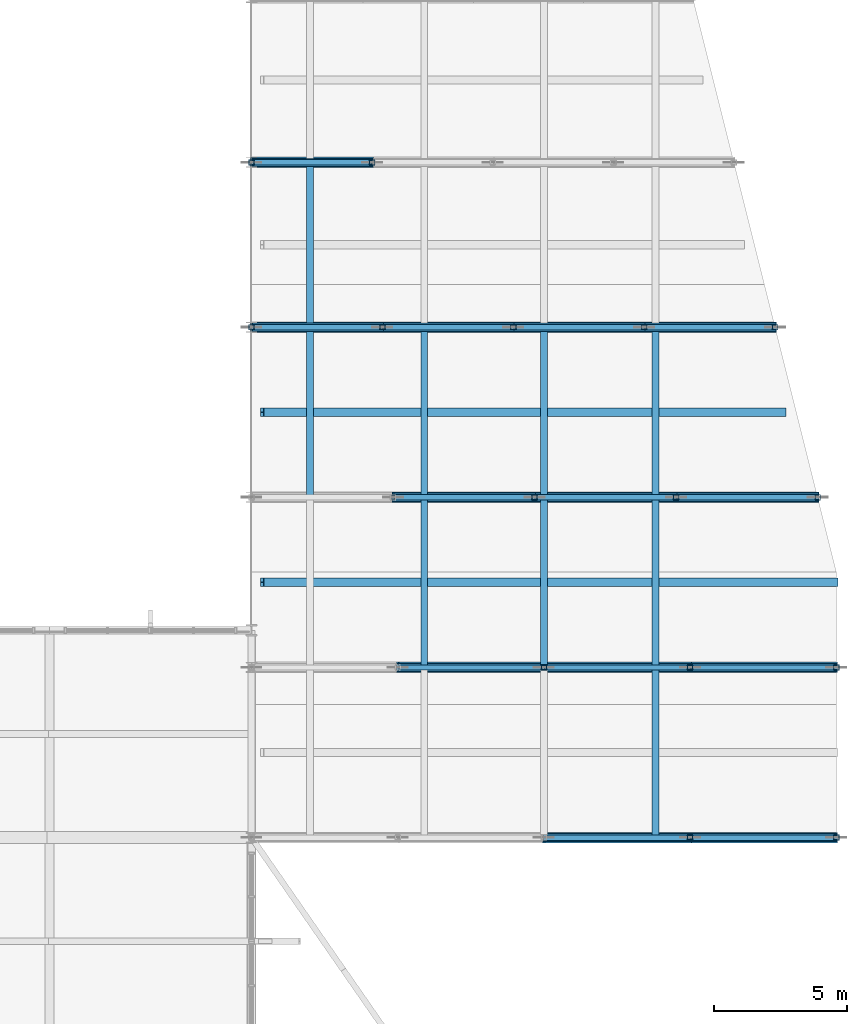
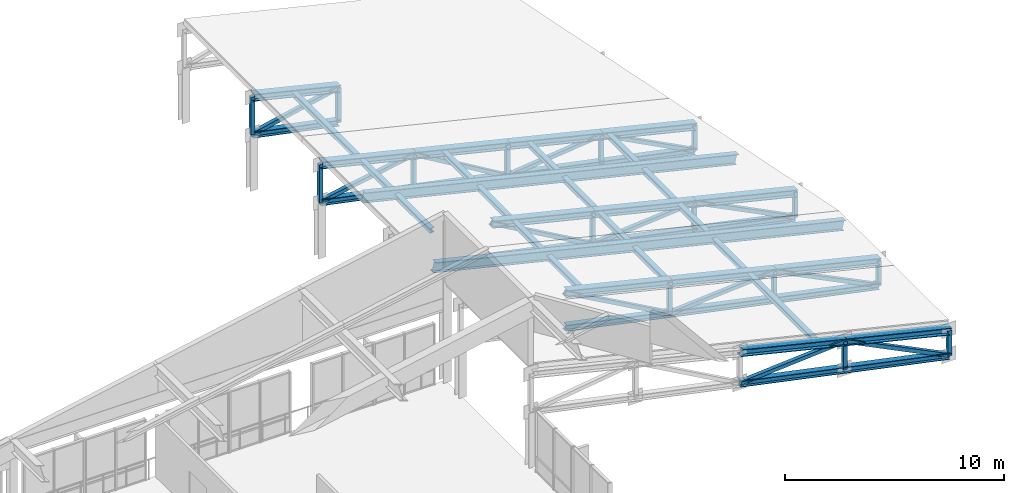
# One storey, part 33 of 73: 65 members.
"""IFC4 building model written with IfcOpenShell, lengths in metres."""

import ifcopenshell
import ifcopenshell.guid

model = None  # the IFC model being written
_history = None  # IfcOwnerHistory: only IFC2X3 demands one
_inside = {}  # id of a spatial element -> (the spatial element, [elements in it])
_under = {}  # id of a project, library or spatial element -> (it, [spatial elements below it])
_declared = {}  # id of a project -> (the project, [libraries it declares])
_typed = {}  # id of a type object -> (the type object, [elements of that type])
_made_of = {}  # id of a material, layer set ... -> (it, [elements and type objects made of it])


def new_model(schema):
    """Start an empty IFC model of exactly this schema.

    Asked for "IFC4X3", IfcOpenShell would pick the latest addendum, in which some entities
    have other attributes; the version numbers below select the first issue.
    IFC2X3 requires an IfcOwnerHistory on every rooted entity: one is made here for all.
    """
    global model, _history
    if schema == "IFC4X3":
        model = ifcopenshell.file(schema_version=(4, 3, 0, 0))
    else:
        model = ifcopenshell.file(schema=schema)
    _inside.clear()
    _under.clear()
    _declared.clear()
    _typed.clear()
    _made_of.clear()
    _history = None
    if model.schema == "IFC2X3":
        org = make("IfcOrganization", Name="unknown")
        user = make(
            "IfcPersonAndOrganization",
            ThePerson=make("IfcPerson", FamilyName="unknown"),
            TheOrganization=org,
        )
        app = make(
            "IfcApplication",
            ApplicationDeveloper=org,
            Version="unknown",
            ApplicationFullName="unknown",
            ApplicationIdentifier="unknown",
        )
        _history = make(
            "IfcOwnerHistory",
            OwningUser=user,
            OwningApplication=app,
            ChangeAction="ADDED",
            CreationDate=0,
        )
    return model


def make(cls, **values):
    """One entity of the class cls with the attributes given. An attribute that is None is left unset."""
    return model.create_entity(
        cls, **{name: value for name, value in values.items() if value is not None}
    )


def rooted(cls, **values):
    """An entity with a GlobalId (a new one), such as an element, a storey or a relation."""
    return make(cls, GlobalId=ifcopenshell.guid.new(), OwnerHistory=_history, **values)


def si_unit(unit_type, name, prefix=None):
    """IfcSIUnit, for example si_unit("LENGTHUNIT", "METRE", prefix="MILLI")."""
    return make("IfcSIUnit", UnitType=unit_type, Prefix=prefix, Name=name)


def assignment(units):
    """IfcUnitAssignment: the units of a project."""
    return None if units is None else make("IfcUnitAssignment", Units=units)


def point(xyz):
    """IfcCartesianPoint."""
    return None if xyz is None else make("IfcCartesianPoint", Coordinates=xyz)


def direction(xyz):
    """IfcDirection."""
    return None if xyz is None else make("IfcDirection", DirectionRatios=xyz)


def frame(location, z_axis=None, x_axis=None):
    """IfcAxis2Placement3D, a coordinate frame: its origin and axes. An axis left out is left unset."""
    return make(
        "IfcAxis2Placement3D",
        Location=point(location),
        Axis=direction(z_axis),
        RefDirection=direction(x_axis),
    )


def frame_2d(location, x_axis=None):
    """IfcAxis2Placement2D, a coordinate frame in the plane: its origin and x axis."""
    return make(
        "IfcAxis2Placement2D", Location=point(location), RefDirection=direction(x_axis)
    )


def origin():
    """The frame at (0, 0, 0) with its axes left unset."""
    return frame((0.0, 0.0, 0.0))


def origin_2d():
    """The frame at (0, 0) in the plane with its x axis left unset."""
    return frame_2d((0.0, 0.0))


def place(relative_to, where):
    """IfcLocalPlacement: puts the frame where relative to a parent placement (None: the world)."""
    return make(
        "IfcLocalPlacement", PlacementRelTo=relative_to, RelativePlacement=where
    )


def context(
    kind, dimensions, precision=None, world=None, true_north=None, identifier=None
):
    """IfcGeometricRepresentationContext, for example the 3D "Model" context."""
    return make(
        "IfcGeometricRepresentationContext",
        ContextIdentifier=identifier,
        ContextType=kind,
        CoordinateSpaceDimension=dimensions,
        Precision=precision,
        WorldCoordinateSystem=world,
        TrueNorth=true_north,
    )


def subcontext(parent, identifier, kind, view, scale=None):
    """IfcGeometricRepresentationSubContext, for example "Body" below "Model"."""
    return make(
        "IfcGeometricRepresentationSubContext",
        ContextIdentifier=identifier,
        ContextType=kind,
        ParentContext=parent,
        TargetScale=scale,
        TargetView=view,
    )


def project(units=None, contexts=None):
    """IfcProject with its units and contexts."""
    return rooted(
        "IfcProject",
        Name="project",
        RepresentationContexts=contexts,
        UnitsInContext=assignment(units),
    )


def spatial(cls, under=None, at=None, **own):
    """A site, building, storey or space (cls), placed at a placement, below another one or the project."""
    s = rooted(cls, ObjectPlacement=at, **own)
    if under is not None:
        _under.setdefault(under.id(), (under, []))[1].append(s)
    return s


def profile(cls, at=None, kind="AREA", **sizes):
    """A parametric profile (cls). Its sizes go by their IFC names, for example OverallWidth=200.0."""
    return make(cls, ProfileType=kind, Position=at, **sizes)


def hollow_rectangle(**sizes):
    """IfcRectangleHollowProfileDef."""
    return profile("IfcRectangleHollowProfileDef", **sizes)


def i_section(**sizes):
    """IfcIShapeProfileDef."""
    return profile("IfcIShapeProfileDef", **sizes)


def extrude(swept, where, along, depth):
    """IfcExtrudedAreaSolid: the profile swept, set in the frame where, extruded along a direction by depth."""
    return make(
        "IfcExtrudedAreaSolid",
        SweptArea=swept,
        Position=where,
        ExtrudedDirection=direction(along),
        Depth=depth,
    )


def shape(context_of_items, identifier, shape_type, items):
    """IfcShapeRepresentation: the items that make up one representation, for example the "Body"."""
    return make(
        "IfcShapeRepresentation",
        ContextOfItems=context_of_items,
        RepresentationIdentifier=identifier,
        RepresentationType=shape_type,
        Items=items,
    )


def material(Name=None, Category=None):
    """IfcMaterial."""
    return make("IfcMaterial", Name=Name, Category=Category)


def material_profile(
    of_material, cross_section, Name=None, Category=None, Priority=None
):
    """IfcMaterialProfile: a cross section and its material."""
    return make(
        "IfcMaterialProfile",
        Name=Name,
        Material=of_material,
        Profile=cross_section,
        Priority=Priority,
        Category=Category,
    )


def profile_set(profiles, Name=None, composite=None):
    """IfcMaterialProfileSet."""
    return make(
        "IfcMaterialProfileSet",
        Name=Name,
        MaterialProfiles=profiles,
        CompositeProfile=composite,
    )


def made_of(thing, what):
    """Note that an element or type object is made of a material, layer set ...; save() writes the relation."""
    if what is not None:
        _made_of.setdefault(what.id(), (what, []))[1].append(thing)
    return thing


def type_object(cls, material=None, **own):
    """A type object (cls), such as IfcWallType, which elements share."""
    return made_of(rooted(cls, **own), material)


def element(
    cls,
    number,
    at=None,
    inside=None,
    cuts=None,
    type_object=None,
    material=None,
    context=None,
    identifier="Body",
    shape_type=None,
    held_by="IfcProductDefinitionShape",
    body=None,
    shapes=None,
    **own,
):
    """One element of the class cls, such as IfcWall. Its Tag is "e" and its number.

    at: its placement. inside: the storey or other place that contains it. cuts: it is an
    opening in that element (IfcRelVoidsElement). A single representation is given by context,
    identifier, shape_type and body (its items); several are given by shapes. held_by: the class
    of the entity that holds the representations. save() writes the other relations.
    """
    e = rooted(cls, Tag="e%d" % number, ObjectPlacement=at, **own)
    if body is not None:
        shapes = [shape(context, identifier, shape_type, body)]
    if shapes is not None:
        e.Representation = make(held_by, Representations=shapes)
    if inside is not None:
        _inside.setdefault(inside.id(), (inside, []))[1].append(e)
    if cuts is not None:
        rooted(
            "IfcRelVoidsElement", RelatingBuildingElement=cuts, RelatedOpeningElement=e
        )
    if type_object is not None:
        _typed.setdefault(type_object.id(), (type_object, []))[1].append(e)
    return made_of(e, material)


def aggregate(whole, parts):
    """IfcRelAggregates: a whole, such as a stair, and the parts it consists of."""
    return rooted("IfcRelAggregates", RelatingObject=whole, RelatedObjects=parts)


def save(model, path):
    """Write the relations noted so far, then the file.

    IfcRelAggregates (storeys below a building ...), IfcRelContainedInSpatialStructure (elements
    in a storey), IfcRelDefinesByType, IfcRelAssociatesMaterial and IfcRelDeclares: one each for
    every whole, place, type object, material and project.
    """
    for whole, parts in _under.values():
        aggregate(whole, parts)
    for where, things in _inside.values():
        rooted(
            "IfcRelContainedInSpatialStructure",
            RelatedElements=things,
            RelatingStructure=where,
        )
    for kind, things in _typed.values():
        rooted("IfcRelDefinesByType", RelatedObjects=things, RelatingType=kind)
    for what, things in _made_of.values():
        rooted("IfcRelAssociatesMaterial", RelatedObjects=things, RelatingMaterial=what)
    for by, libraries in _declared.values():
        rooted("IfcRelDeclares", RelatingContext=by, RelatedDefinitions=libraries)
    model.write(path)


model = new_model("IFC4")

# Units and contexts
model_context = context("Model", 3, precision=1e-05, world=origin(), true_north=direction((0.0, 1.0)))
body_context = subcontext(model_context, "Body", "Model", "MODEL_VIEW")
ifc_project = project(units=[si_unit("LENGTHUNIT", "METRE"), si_unit("AREAUNIT", "SQUARE_METRE"), si_unit("VOLUMEUNIT", "CUBIC_METRE"), si_unit("PLANEANGLEUNIT", "RADIAN"), si_unit("MASSUNIT", "GRAM", prefix="KILO")], contexts=[model_context])

# Site, building, storey
site_placement = place(None, origin())
site = spatial("IfcSite", under=ifc_project, at=site_placement, CompositionType="ELEMENT")
building_placement = place(site_placement, origin())
building = spatial("IfcBuilding", under=site, at=building_placement, Name="Vervanel Yard Central Library", CompositionType="ELEMENT")
storey_placement = place(building_placement, frame((0.0, 0.0, 12.780029296875)))
storey = spatial("IfcBuildingStorey", under=building, at=storey_placement, Name="L03", CompositionType="ELEMENT", Elevation=12.780029296875)

# Members
ifc_material_1 = material(Name="Steel ASTM A992 Grade 50", Category="steel")
ifc_material_profile_1 = material_profile(ifc_material_1, i_section(OverallWidth=0.256591796875, OverallDepth=0.26416015625, WebThickness=0.011962890625, FlangeThickness=0.01953125, at=origin_2d()), Name="W10X68", Category="steel")
ifc_profile_set_1 = profile_set([ifc_material_profile_1], Name="Steel ASTM A992 Grade 50")
member_type_1 = type_object("IfcMemberType", Name="Auditorium Roof Purlin W10X68", PredefinedType="PURLIN", material=ifc_profile_set_1)
member_1_placement = place(storey_placement, frame((161.199951171875, 74.39990234375, 1.398193359375), z_axis=(0.0, 1.0, 0.0), x_axis=(-1.0, 0.0, 0.0)))
element("IfcMember", 1, at=member_1_placement, inside=storey, type_object=member_type_1, Name="Auditorium Roof Purlin X=161.2 Y=74.4-80.8", PredefinedType="PURLIN", context=body_context, shape_type="SweptSolid", body=[
    extrude(i_section(OverallWidth=0.256591796875, OverallDepth=0.26416015625, WebThickness=0.011962890625, FlangeThickness=0.01953125, at=origin_2d()), origin(), (0.0, 0.0, 1.0), 6.400146484375),
])
for number, where, z_axis, x_axis, name in (
    (2, (152.5, 80.800048828125, 3.494140625), (0.0, 1.0, 0.0), (-1.0, 0.0, 0.0), "Auditorium Roof Purlin X=152.5 Y=80.8-87.2"),
    (3, (157.0, 80.800048828125, 2.409912109375), (0.0, 1.0, 0.0), (-1.0, 0.0, 0.0), "Auditorium Roof Purlin X=157.0 Y=80.8-87.2"),
    (4, (161.199951171875, 80.800048828125, 1.398193359375), (0.0, 1.0, 0.0), (-1.0, 0.0, 0.0), "Auditorium Roof Purlin X=161.2 Y=80.8-87.2"),
):
    element("IfcMember", number, at=place(storey_placement, frame(where, z_axis=z_axis, x_axis=x_axis)), inside=storey, type_object=member_type_1, Name=name, PredefinedType="PURLIN", context=body_context, shape_type="SweptSolid", body=[
        extrude(i_section(OverallWidth=0.256591796875, OverallDepth=0.26416015625, WebThickness=0.011962890625, FlangeThickness=0.01953125, at=origin_2d()), origin(), (0.0, 0.0, 1.0), 6.39990234375),
    ])
for number, where, z_axis, x_axis, name in (
    (5, (148.199951171875, 87.199951171875, 4.530029296875), (0.0, 1.0, 0.0), (-1.0, 0.0, 0.0), "Auditorium Roof Purlin X=148.2 Y=87.2-93.6"),
    (6, (152.5, 87.199951171875, 3.494140625), (0.0, 1.0, 0.0), (-1.0, 0.0, 0.0), "Auditorium Roof Purlin X=152.5 Y=87.2-93.6"),
    (7, (157.0, 87.199951171875, 2.409912109375), (0.0, 1.0, 0.0), (-1.0, 0.0, 0.0), "Auditorium Roof Purlin X=157.0 Y=87.2-93.6"),
    (8, (161.199951171875, 87.199951171875, 1.398193359375), (0.0, 1.0, 0.0), (-1.0, 0.0, 0.0), "Auditorium Roof Purlin X=161.2 Y=87.2-93.6"),
):
    element("IfcMember", number, at=place(storey_placement, frame(where, z_axis=z_axis, x_axis=x_axis)), inside=storey, type_object=member_type_1, Name=name, PredefinedType="PURLIN", context=body_context, shape_type="SweptSolid", body=[
        extrude(i_section(OverallWidth=0.256591796875, OverallDepth=0.26416015625, WebThickness=0.011962890625, FlangeThickness=0.01953125, at=origin_2d()), origin(), (0.0, 0.0, 1.0), 6.400146484375),
    ])
member_2_placement = place(storey_placement, frame((148.199951171875, 93.60009765625, 4.530029296875), z_axis=(0.0, 1.0, 0.0), x_axis=(-1.0, 0.0, 0.0)))
element("IfcMember", 9, at=member_2_placement, inside=storey, type_object=member_type_1, Name="Auditorium Roof Purlin X=148.2 Y=93.6-99.8", PredefinedType="PURLIN", context=body_context, shape_type="SweptSolid", body=[
    extrude(i_section(OverallWidth=0.256591796875, OverallDepth=0.26416015625, WebThickness=0.011962890625, FlangeThickness=0.01953125, at=origin_2d()), origin(), (0.0, 0.0, 1.0), 6.199951171875),
])
ifc_material_profile_2 = material_profile(ifc_material_1, i_section(OverallWidth=0.309814453125, OverallDepth=0.32763671875, WebThickness=0.015380859375, FlangeThickness=0.025146484375, at=origin_2d()), Name="W12X106", Category="steel")
ifc_profile_set_2 = profile_set([ifc_material_profile_2], Name="Steel ASTM A992 Grade 50")
member_type_2 = type_object("IfcMemberType", Name="Auditorium Roof Truss Bottom Chord W12X106", PredefinedType="CHORD", material=ifc_profile_set_2)
for number, where, z_axis, x_axis, name in (
    (10, (157.0, 74.39990234375, 0.739990234375), (0.978835582264, 0.0, -0.204648241853), (0.0, 1.0, 0.0), "Auditorium Truss 1 Bottom Chord 3"),
    (11, (162.5, 74.39990234375, -0.409912109375), (0.978826877737, 0.0, -0.204689871317), (0.0, 1.0, 0.0), "Auditorium Truss 1 Bottom Chord 4"),
    (12, (151.5, 80.800048828125, 1.889892578125), (0.978835582264, 0.0, -0.204648241853), (0.0, 1.0, 0.0), "Auditorium Truss 2 Bottom Chord 2"),
    (13, (157.0, 80.800048828125, 0.739990234375), (0.978835582264, 0.0, -0.204648241853), (0.0, 1.0, 0.0), "Auditorium Truss 2 Bottom Chord 3"),
    (14, (162.5, 80.800048828125, -0.409912109375), (0.978826877737, 0.0, -0.204689871317), (0.0, 1.0, 0.0), "Auditorium Truss 2 Bottom Chord 4"),
):
    element("IfcMember", number, at=place(storey_placement, frame(where, z_axis=z_axis, x_axis=x_axis)), inside=storey, type_object=member_type_2, Name=name, PredefinedType="CHORD", context=body_context, shape_type="SweptSolid", body=[
        extrude(i_section(OverallWidth=0.309814453125, OverallDepth=0.32763671875, WebThickness=0.015380859375, FlangeThickness=0.025146484375, at=origin_2d()), origin(), (0.0, 0.0, 1.0), 5.618896484375),
    ])
member_3_placement = place(storey_placement, frame((151.324951171875, 87.199951171875, 1.93212890625), z_axis=(0.979033787707, 0.0, -0.203697919793), x_axis=(0.0, 1.0, 0.0)))
element("IfcMember", 15, at=member_3_placement, inside=storey, type_object=member_type_2, Name="Auditorium Truss 3 Bottom Chord 2", PredefinedType="CHORD", context=body_context, shape_type="SweptSolid", body=[
    extrude(i_section(OverallWidth=0.309814453125, OverallDepth=0.32763671875, WebThickness=0.015380859375, FlangeThickness=0.025146484375, at=origin_2d()), origin(), (0.0, 0.0, 1.0), 5.43896484375),
])
member_4_placement = place(storey_placement, frame((156.64990234375, 87.199951171875, 0.82421875), z_axis=(0.979044600164, 0.0, -0.203645944936), x_axis=(0.0, 1.0, 0.0)))
element("IfcMember", 16, at=member_4_placement, inside=storey, type_object=member_type_2, Name="Auditorium Truss 3 Bottom Chord 3", PredefinedType="CHORD", context=body_context, shape_type="SweptSolid", body=[
    extrude(i_section(OverallWidth=0.309814453125, OverallDepth=0.32763671875, WebThickness=0.015380859375, FlangeThickness=0.025146484375, at=origin_2d()), origin(), (0.0, 0.0, 1.0), 5.439208984375),
])
member_5_placement = place(storey_placement, frame((161.97509765625, 87.199951171875, -0.283447265625), z_axis=(0.979033787707, 0.0, -0.203697919793), x_axis=(0.0, 1.0, 0.0)))
element("IfcMember", 17, at=member_5_placement, inside=storey, type_object=member_type_2, Name="Auditorium Truss 3 Bottom Chord 4", PredefinedType="CHORD", context=body_context, shape_type="SweptSolid", body=[
    extrude(i_section(OverallWidth=0.309814453125, OverallDepth=0.32763671875, WebThickness=0.015380859375, FlangeThickness=0.025146484375, at=origin_2d()), origin(), (0.0, 0.0, 1.0), 5.43896484375),
])
for number, where, z_axis, x_axis, name in (
    (18, (146.0, 93.60009765625, 3.0400390625), (0.979555371824, 0.0, -0.201174733826), (0.0, 1.0, 0.0), "Auditorium Truss 4 Bottom Chord 1"),
    (19, (150.925048828125, 93.60009765625, 2.028564453125), (0.979555371824, 0.0, -0.201174733826), (0.0, 1.0, 0.0), "Auditorium Truss 4 Bottom Chord 2"),
):
    element("IfcMember", number, at=place(storey_placement, frame(where, z_axis=z_axis, x_axis=x_axis)), inside=storey, type_object=member_type_2, Name=name, PredefinedType="CHORD", context=body_context, shape_type="SweptSolid", body=[
        extrude(i_section(OverallWidth=0.309814453125, OverallDepth=0.32763671875, WebThickness=0.015380859375, FlangeThickness=0.025146484375, at=origin_2d()), origin(), (0.0, 0.0, 1.0), 5.02783203125),
    ])
member_6_placement = place(storey_placement, frame((155.85009765625, 93.60009765625, 1.01708984375), z_axis=(0.97955340649, 0.0, -0.201184303147), x_axis=(0.0, 1.0, 0.0)))
element("IfcMember", 20, at=member_6_placement, inside=storey, type_object=member_type_2, Name="Auditorium Truss 4 Bottom Chord 3", PredefinedType="CHORD", context=body_context, shape_type="SweptSolid", body=[
    extrude(i_section(OverallWidth=0.309814453125, OverallDepth=0.32763671875, WebThickness=0.015380859375, FlangeThickness=0.025146484375, at=origin_2d()), origin(), (0.0, 0.0, 1.0), 5.027587890625),
])
member_7_placement = place(storey_placement, frame((160.77490234375, 93.60009765625, 0.005615234375), z_axis=(0.979555371824, 0.0, -0.201174733826), x_axis=(0.0, 1.0, 0.0)))
element("IfcMember", 21, at=member_7_placement, inside=storey, type_object=member_type_2, Name="Auditorium Truss 4 Bottom Chord 4", PredefinedType="CHORD", context=body_context, shape_type="SweptSolid", body=[
    extrude(i_section(OverallWidth=0.309814453125, OverallDepth=0.32763671875, WebThickness=0.015380859375, FlangeThickness=0.025146484375, at=origin_2d()), origin(), (0.0, 0.0, 1.0), 5.02783203125),
])
member_8_placement = place(storey_placement, frame((146.0, 99.800048828125, 3.0400390625), z_axis=(0.980133968986, 0.0, -0.198336589764), x_axis=(0.0, 1.0, 0.0)))
element("IfcMember", 22, at=member_8_placement, inside=storey, type_object=member_type_2, Name="Auditorium Truss 5 Bottom Chord 1", PredefinedType="CHORD", context=body_context, shape_type="SweptSolid", body=[
    extrude(i_section(OverallWidth=0.309814453125, OverallDepth=0.32763671875, WebThickness=0.015380859375, FlangeThickness=0.025146484375, at=origin_2d()), origin(), (0.0, 0.0, 1.0), 4.629638671875),
])
ifc_material_profile_3 = material_profile(ifc_material_1, i_section(OverallWidth=0.396240234375, OverallDepth=0.381103515625, WebThickness=0.01904296875, FlangeThickness=0.0302734375, at=origin_2d()), Name="W14X159", Category="steel")
ifc_profile_set_3 = profile_set([ifc_material_profile_3], Name="Steel ASTM A992 Grade 50")
member_type_3 = type_object("IfcMemberType", Name="Auditorium Roof Truss Chord W14X159", PredefinedType="CHORD", material=ifc_profile_set_3)
for number, where, z_axis, x_axis, name in (
    (23, (157.0, 74.39990234375, 2.489990234375), (0.972188346998, 0.0, -0.234200379934), (0.0, 1.0, 0.0), "Auditorium Truss 1 Top Chord 3"),
    (24, (162.5, 74.39990234375, 1.1650390625), (0.972188346998, 0.0, -0.234200379934), (0.0, 1.0, 0.0), "Auditorium Truss 1 Top Chord 4"),
    (25, (151.5, 80.800048828125, 3.81494140625), (0.972188346998, 0.0, -0.234200379934), (0.0, 1.0, 0.0), "Auditorium Truss 2 Top Chord 2"),
    (26, (157.0, 80.800048828125, 2.489990234375), (0.972188346998, 0.0, -0.234200379934), (0.0, 1.0, 0.0), "Auditorium Truss 2 Top Chord 3"),
    (27, (162.5, 80.800048828125, 1.1650390625), (0.972188346998, 0.0, -0.234200379934), (0.0, 1.0, 0.0), "Auditorium Truss 2 Top Chord 4"),
):
    element("IfcMember", number, at=place(storey_placement, frame(where, z_axis=z_axis, x_axis=x_axis)), inside=storey, type_object=member_type_3, Name=name, PredefinedType="CHORD", context=body_context, shape_type="SweptSolid", body=[
        extrude(i_section(OverallWidth=0.396240234375, OverallDepth=0.381103515625, WebThickness=0.01904296875, FlangeThickness=0.0302734375, at=origin_2d()), origin(), (0.0, 0.0, 1.0), 5.6572265625),
    ])
member_9_placement = place(storey_placement, frame((151.324951171875, 87.199951171875, 3.857177734375), z_axis=(0.97218098413, 0.0, -0.2342309418), x_axis=(0.0, 1.0, 0.0)))
element("IfcMember", 28, at=member_9_placement, inside=storey, type_object=member_type_3, Name="Auditorium Truss 3 Top Chord 2", PredefinedType="CHORD", context=body_context, shape_type="SweptSolid", body=[
    extrude(i_section(OverallWidth=0.396240234375, OverallDepth=0.381103515625, WebThickness=0.01904296875, FlangeThickness=0.0302734375, at=origin_2d()), origin(), (0.0, 0.0, 1.0), 5.477294921875),
])
member_10_placement = place(storey_placement, frame((156.64990234375, 87.199951171875, 2.57421875), z_axis=(0.972193577694, 0.0, -0.234178665744), x_axis=(0.0, 1.0, 0.0)))
element("IfcMember", 29, at=member_10_placement, inside=storey, type_object=member_type_3, Name="Auditorium Truss 3 Top Chord 3", PredefinedType="CHORD", context=body_context, shape_type="SweptSolid", body=[
    extrude(i_section(OverallWidth=0.396240234375, OverallDepth=0.381103515625, WebThickness=0.01904296875, FlangeThickness=0.0302734375, at=origin_2d()), origin(), (0.0, 0.0, 1.0), 5.4775390625),
])
member_11_placement = place(storey_placement, frame((161.97509765625, 87.199951171875, 1.29150390625), z_axis=(0.97218098413, 0.0, -0.2342309418), x_axis=(0.0, 1.0, 0.0)))
element("IfcMember", 30, at=member_11_placement, inside=storey, type_object=member_type_3, Name="Auditorium Truss 3 Top Chord 4", PredefinedType="CHORD", context=body_context, shape_type="SweptSolid", body=[
    extrude(i_section(OverallWidth=0.396240234375, OverallDepth=0.381103515625, WebThickness=0.01904296875, FlangeThickness=0.0302734375, at=origin_2d()), origin(), (0.0, 0.0, 1.0), 5.477294921875),
])
for number, where, z_axis, x_axis, name in (
    (31, (146.0, 93.60009765625, 5.139892578125), (0.972184835582, 0.0, -0.23421495568), (0.0, 1.0, 0.0), "Auditorium Truss 4 Top Chord 1"),
    (32, (150.925048828125, 93.60009765625, 3.953369140625), (0.972195808054, 0.0, -0.234169406203), (0.0, 1.0, 0.0), "Auditorium Truss 4 Top Chord 2"),
):
    element("IfcMember", number, at=place(storey_placement, frame(where, z_axis=z_axis, x_axis=x_axis)), inside=storey, type_object=member_type_3, Name=name, PredefinedType="CHORD", context=body_context, shape_type="SweptSolid", body=[
        extrude(i_section(OverallWidth=0.396240234375, OverallDepth=0.381103515625, WebThickness=0.01904296875, FlangeThickness=0.0302734375, at=origin_2d()), origin(), (0.0, 0.0, 1.0), 5.06591796875),
    ])
member_12_placement = place(storey_placement, frame((155.85009765625, 93.60009765625, 2.76708984375), z_axis=(0.972182191724, 0.0, -0.234225929594), x_axis=(0.0, 1.0, 0.0)))
element("IfcMember", 33, at=member_12_placement, inside=storey, type_object=member_type_3, Name="Auditorium Truss 4 Top Chord 3", PredefinedType="CHORD", context=body_context, shape_type="SweptSolid", body=[
    extrude(i_section(OverallWidth=0.396240234375, OverallDepth=0.381103515625, WebThickness=0.01904296875, FlangeThickness=0.0302734375, at=origin_2d()), origin(), (0.0, 0.0, 1.0), 5.065673828125),
])
member_13_placement = place(storey_placement, frame((160.77490234375, 93.60009765625, 1.58056640625), z_axis=(0.972184835582, 0.0, -0.23421495568), x_axis=(0.0, 1.0, 0.0)))
element("IfcMember", 34, at=member_13_placement, inside=storey, type_object=member_type_3, Name="Auditorium Truss 4 Top Chord 4", PredefinedType="CHORD", context=body_context, shape_type="SweptSolid", body=[
    extrude(i_section(OverallWidth=0.396240234375, OverallDepth=0.381103515625, WebThickness=0.01904296875, FlangeThickness=0.0302734375, at=origin_2d()), origin(), (0.0, 0.0, 1.0), 5.06591796875),
])
member_14_placement = place(storey_placement, frame((146.0, 99.800048828125, 5.139892578125), z_axis=(0.972192769649, 0.0, -0.234182020323), x_axis=(0.0, 1.0, 0.0)))
element("IfcMember", 35, at=member_14_placement, inside=storey, type_object=member_type_3, Name="Auditorium Truss 5 Top Chord 1", PredefinedType="CHORD", context=body_context, shape_type="SweptSolid", body=[
    extrude(i_section(OverallWidth=0.396240234375, OverallDepth=0.381103515625, WebThickness=0.01904296875, FlangeThickness=0.0302734375, at=origin_2d()), origin(), (0.0, 0.0, 1.0), 4.66748046875),
])
ifc_material_profile_4 = material_profile(ifc_material_1, i_section(OverallWidth=0.3125, OverallDepth=0.54345703125, WebThickness=0.0126953125, FlangeThickness=0.020263671875, at=origin_2d()), Name="W21X101", Category="steel")
ifc_profile_set_4 = profile_set([ifc_material_profile_4], Name="Steel ASTM A992 Grade 50")
member_type_4 = type_object("IfcMemberType", Name="Auditorium Sloped Rafter W21X101", PredefinedType="RAFTER", material=ifc_profile_set_4)
member_15_placement = place(storey_placement, frame((146.39990234375, 84.0, 5.103515625), z_axis=(0.972186859469, 0.0, -0.234206554725), x_axis=(0.0, 1.0, 0.0)))
element("IfcMember", 36, at=member_15_placement, inside=storey, type_object=member_type_4, Name="Auditorium Intermediate Sloped Rafter 2", PredefinedType="RAFTER", context=body_context, shape_type="SweptSolid", body=[
    extrude(i_section(OverallWidth=0.3125, OverallDepth=0.54345703125, WebThickness=0.0126953125, FlangeThickness=0.020263671875, at=origin_2d()), origin(), (0.0, 0.0, 1.0), 22.218017578125),
])
member_16_placement = place(storey_placement, frame((146.39990234375, 90.39990234375, 5.103515625), z_axis=(0.972186519331, 0.0, -0.234207966626), x_axis=(0.0, 1.0, 0.0)))
element("IfcMember", 37, at=member_16_placement, inside=storey, type_object=member_type_4, Name="Auditorium Intermediate Sloped Rafter 3", PredefinedType="RAFTER", context=body_context, shape_type="SweptSolid", body=[
    extrude(i_section(OverallWidth=0.3125, OverallDepth=0.54345703125, WebThickness=0.0126953125, FlangeThickness=0.020263671875, at=origin_2d()), origin(), (0.0, 0.0, 1.0), 20.21240234375),
])
ifc_material_2 = material(Name="Steel ASTM A500 Grade C", Category="steel")
ifc_material_profile_5 = material_profile(ifc_material_2, hollow_rectangle(XDim=0.203125, YDim=0.203125, WallThickness=0.01171875, at=origin_2d()), Name="HSS8X8X1/2", Category="steel")
ifc_profile_set_5 = profile_set([ifc_material_profile_5], Name="Steel ASTM A500 Grade C")
member_type_5 = type_object("IfcMemberType", Name="Auditorium Truss Web Diagonal HSS8X8X1/2", PredefinedType="BRACE", material=ifc_profile_set_5)
member_17_placement = place(storey_placement, frame((157.0, 74.39990234375, 0.739990234375), z_axis=(0.997027086821, 0.0, 0.077051853611), x_axis=(0.0, 1.0, 0.0)))
element("IfcMember", 38, at=member_17_placement, inside=storey, type_object=member_type_5, Name="Auditorium Truss 1 Web Diagonal 3", PredefinedType="BRACE", context=body_context, shape_type="SweptSolid", body=[
    extrude(hollow_rectangle(XDim=0.203125, YDim=0.203125, WallThickness=0.01171875, at=origin_2d()), origin(), (0.0, 0.0, 1.0), 5.516357421875),
])
member_18_placement = place(storey_placement, frame((162.5, 74.39990234375, 1.1650390625), z_axis=(0.896044109447, 0.0, -0.443965036827), x_axis=(0.0, 1.0, 0.0)))
element("IfcMember", 39, at=member_18_placement, inside=storey, type_object=member_type_5, Name="Auditorium Truss 1 Web Diagonal 4", PredefinedType="BRACE", context=body_context, shape_type="SweptSolid", body=[
    extrude(hollow_rectangle(XDim=0.203125, YDim=0.203125, WallThickness=0.01171875, at=origin_2d()), origin(), (0.0, 0.0, 1.0), 6.13818359375),
])
member_19_placement = place(storey_placement, frame((162.5, 74.39990234375, -0.409912109375), z_axis=(0.0, 0.0, 1.0), x_axis=(1.0, 0.0, 0.0)))
element("IfcMember", 40, at=member_19_placement, inside=storey, type_object=member_type_5, Name="Auditorium Truss 1 Vertical 4", PredefinedType="BRACE", context=body_context, shape_type="SweptSolid", body=[
    extrude(hollow_rectangle(XDim=0.203125, YDim=0.203125, WallThickness=0.01171875, at=origin_2d()), origin(), (0.0, 0.0, 1.0), 1.574951171875),
])
member_20_placement = place(storey_placement, frame((168.0, 74.39990234375, -1.56005859375), z_axis=(0.0, 0.0, 1.0), x_axis=(1.0, 0.0, 0.0)))
element("IfcMember", 41, at=member_20_placement, inside=storey, type_object=member_type_5, Name="Auditorium Truss 1 Vertical 5", PredefinedType="BRACE", context=body_context, shape_type="SweptSolid", body=[
    extrude(hollow_rectangle(XDim=0.203125, YDim=0.203125, WallThickness=0.01171875, at=origin_2d()), origin(), (0.0, 0.0, 1.0), 1.400146484375),
])
member_21_placement = place(storey_placement, frame((151.5, 80.800048828125, 3.81494140625), z_axis=(0.872847381688, 0.0, -0.487993287126), x_axis=(0.0, 1.0, 0.0)))
element("IfcMember", 42, at=member_21_placement, inside=storey, type_object=member_type_5, Name="Auditorium Truss 2 Web Diagonal 2", PredefinedType="BRACE", context=body_context, shape_type="SweptSolid", body=[
    extrude(hollow_rectangle(XDim=0.203125, YDim=0.203125, WallThickness=0.01171875, at=origin_2d()), origin(), (0.0, 0.0, 1.0), 6.30126953125),
])
member_22_placement = place(storey_placement, frame((157.0, 80.800048828125, 0.739990234375), z_axis=(0.997027086821, 0.0, 0.077051853611), x_axis=(0.0, 1.0, 0.0)))
element("IfcMember", 43, at=member_22_placement, inside=storey, type_object=member_type_5, Name="Auditorium Truss 2 Web Diagonal 3", PredefinedType="BRACE", context=body_context, shape_type="SweptSolid", body=[
    extrude(hollow_rectangle(XDim=0.203125, YDim=0.203125, WallThickness=0.01171875, at=origin_2d()), origin(), (0.0, 0.0, 1.0), 5.516357421875),
])
member_23_placement = place(storey_placement, frame((162.5, 80.800048828125, 1.1650390625), z_axis=(0.896044109447, 0.0, -0.443965036827), x_axis=(0.0, 1.0, 0.0)))
element("IfcMember", 44, at=member_23_placement, inside=storey, type_object=member_type_5, Name="Auditorium Truss 2 Web Diagonal 4", PredefinedType="BRACE", context=body_context, shape_type="SweptSolid", body=[
    extrude(hollow_rectangle(XDim=0.203125, YDim=0.203125, WallThickness=0.01171875, at=origin_2d()), origin(), (0.0, 0.0, 1.0), 6.13818359375),
])
member_24_placement = place(storey_placement, frame((157.0, 80.800048828125, 0.739990234375), z_axis=(0.0, 0.0, 1.0), x_axis=(1.0, 0.0, 0.0)))
element("IfcMember", 45, at=member_24_placement, inside=storey, type_object=member_type_5, Name="Auditorium Truss 2 Vertical 3", PredefinedType="BRACE", context=body_context, shape_type="SweptSolid", body=[
    extrude(hollow_rectangle(XDim=0.203125, YDim=0.203125, WallThickness=0.01171875, at=origin_2d()), origin(), (0.0, 0.0, 1.0), 1.75),
])
member_25_placement = place(storey_placement, frame((162.5, 80.800048828125, -0.409912109375), z_axis=(0.0, 0.0, 1.0), x_axis=(1.0, 0.0, 0.0)))
element("IfcMember", 46, at=member_25_placement, inside=storey, type_object=member_type_5, Name="Auditorium Truss 2 Vertical 4", PredefinedType="BRACE", context=body_context, shape_type="SweptSolid", body=[
    extrude(hollow_rectangle(XDim=0.203125, YDim=0.203125, WallThickness=0.01171875, at=origin_2d()), origin(), (0.0, 0.0, 1.0), 1.574951171875),
])
member_26_placement = place(storey_placement, frame((168.0, 80.800048828125, -1.56005859375), z_axis=(0.0, 0.0, 1.0), x_axis=(1.0, 0.0, 0.0)))
element("IfcMember", 47, at=member_26_placement, inside=storey, type_object=member_type_5, Name="Auditorium Truss 2 Vertical 5", PredefinedType="BRACE", context=body_context, shape_type="SweptSolid", body=[
    extrude(hollow_rectangle(XDim=0.203125, YDim=0.203125, WallThickness=0.01171875, at=origin_2d()), origin(), (0.0, 0.0, 1.0), 1.400146484375),
])
member_27_placement = place(storey_placement, frame((151.324951171875, 87.199951171875, 3.857177734375), z_axis=(0.868936110789, 0.0, -0.494924272355), x_axis=(0.0, 1.0, 0.0)))
element("IfcMember", 48, at=member_27_placement, inside=storey, type_object=member_type_5, Name="Auditorium Truss 3 Web Diagonal 2", PredefinedType="BRACE", context=body_context, shape_type="SweptSolid", body=[
    extrude(hollow_rectangle(XDim=0.203125, YDim=0.203125, WallThickness=0.01171875, at=origin_2d()), origin(), (0.0, 0.0, 1.0), 6.128173828125),
])
member_28_placement = place(storey_placement, frame((156.64990234375, 87.199951171875, 0.82421875), z_axis=(0.996172073077, 0.0, 0.0874139624), x_axis=(0.0, 1.0, 0.0)))
element("IfcMember", 49, at=member_28_placement, inside=storey, type_object=member_type_5, Name="Auditorium Truss 3 Web Diagonal 3", PredefinedType="BRACE", context=body_context, shape_type="SweptSolid", body=[
    extrude(hollow_rectangle(XDim=0.203125, YDim=0.203125, WallThickness=0.01171875, at=origin_2d()), origin(), (0.0, 0.0, 1.0), 5.345703125),
])
member_29_placement = place(storey_placement, frame((161.97509765625, 87.199951171875, 1.29150390625), z_axis=(0.8930554398, 0.0, -0.449946642885), x_axis=(0.0, 1.0, 0.0)))
element("IfcMember", 50, at=member_29_placement, inside=storey, type_object=member_type_5, Name="Auditorium Truss 3 Web Diagonal 4", PredefinedType="BRACE", context=body_context, shape_type="SweptSolid", body=[
    extrude(hollow_rectangle(XDim=0.203125, YDim=0.203125, WallThickness=0.01171875, at=origin_2d()), origin(), (0.0, 0.0, 1.0), 5.962646484375),
])
member_30_placement = place(storey_placement, frame((156.64990234375, 87.199951171875, 0.82421875), z_axis=(0.0, 0.0, 1.0), x_axis=(1.0, 0.0, 0.0)))
element("IfcMember", 51, at=member_30_placement, inside=storey, type_object=member_type_5, Name="Auditorium Truss 3 Vertical 3", PredefinedType="BRACE", context=body_context, shape_type="SweptSolid", body=[
    extrude(hollow_rectangle(XDim=0.203125, YDim=0.203125, WallThickness=0.01171875, at=origin_2d()), origin(), (0.0, 0.0, 1.0), 1.75),
])
member_31_placement = place(storey_placement, frame((161.97509765625, 87.199951171875, -0.283447265625), z_axis=(0.0, 0.0, 1.0), x_axis=(1.0, 0.0, 0.0)))
element("IfcMember", 52, at=member_31_placement, inside=storey, type_object=member_type_5, Name="Auditorium Truss 3 Vertical 4", PredefinedType="BRACE", context=body_context, shape_type="SweptSolid", body=[
    extrude(hollow_rectangle(XDim=0.203125, YDim=0.203125, WallThickness=0.01171875, at=origin_2d()), origin(), (0.0, 0.0, 1.0), 1.574951171875),
])
member_32_placement = place(storey_placement, frame((167.300048828125, 87.199951171875, -1.391357421875), z_axis=(0.0, 0.0, 1.0), x_axis=(1.0, 0.0, 0.0)))
element("IfcMember", 53, at=member_32_placement, inside=storey, type_object=member_type_5, Name="Auditorium Truss 3 Vertical 5", PredefinedType="BRACE", context=body_context, shape_type="SweptSolid", body=[
    extrude(hollow_rectangle(XDim=0.203125, YDim=0.203125, WallThickness=0.01171875, at=origin_2d()), origin(), (0.0, 0.0, 1.0), 1.39990234375),
])
member_33_placement = place(storey_placement, frame((146.0, 93.60009765625, 3.0400390625), z_axis=(0.983236077805, 0.0, 0.182337092503), x_axis=(0.0, 1.0, 0.0)))
element("IfcMember", 54, at=member_33_placement, inside=storey, type_object=member_type_5, Name="Auditorium Truss 4 Web Diagonal 1", PredefinedType="BRACE", context=body_context, shape_type="SweptSolid", body=[
    extrude(hollow_rectangle(XDim=0.203125, YDim=0.203125, WallThickness=0.01171875, at=origin_2d()), origin(), (0.0, 0.0, 1.0), 5.009033203125),
])
member_34_placement = place(storey_placement, frame((150.925048828125, 93.60009765625, 3.953369140625), z_axis=(0.85893220795, 0.0, -0.512089310713), x_axis=(0.0, 1.0, 0.0)))
element("IfcMember", 55, at=member_34_placement, inside=storey, type_object=member_type_5, Name="Auditorium Truss 4 Web Diagonal 2", PredefinedType="BRACE", context=body_context, shape_type="SweptSolid", body=[
    extrude(hollow_rectangle(XDim=0.203125, YDim=0.203125, WallThickness=0.01171875, at=origin_2d()), origin(), (0.0, 0.0, 1.0), 5.73388671875),
])
member_35_placement = place(storey_placement, frame((155.85009765625, 93.60009765625, 1.01708984375), z_axis=(0.993518059394, 0.0, 0.113674384349), x_axis=(0.0, 1.0, 0.0)))
element("IfcMember", 56, at=member_35_placement, inside=storey, type_object=member_type_5, Name="Auditorium Truss 4 Web Diagonal 3", PredefinedType="BRACE", context=body_context, shape_type="SweptSolid", body=[
    extrude(hollow_rectangle(XDim=0.203125, YDim=0.203125, WallThickness=0.01171875, at=origin_2d()), origin(), (0.0, 0.0, 1.0), 4.95703125),
])
member_36_placement = place(storey_placement, frame((160.77490234375, 93.60009765625, 1.58056640625), z_axis=(0.885340547888, 0.0, -0.464943130141), x_axis=(0.0, 1.0, 0.0)))
element("IfcMember", 57, at=member_36_placement, inside=storey, type_object=member_type_5, Name="Auditorium Truss 4 Web Diagonal 4", PredefinedType="BRACE", context=body_context, shape_type="SweptSolid", body=[
    extrude(hollow_rectangle(XDim=0.203125, YDim=0.203125, WallThickness=0.01171875, at=origin_2d()), origin(), (0.0, 0.0, 1.0), 5.56298828125),
])
member_37_placement = place(storey_placement, frame((146.0, 93.60009765625, 3.0400390625), z_axis=(0.0, 0.0, 1.0), x_axis=(1.0, 0.0, 0.0)))
element("IfcMember", 58, at=member_37_placement, inside=storey, type_object=member_type_5, Name="Auditorium Truss 4 Vertical 1", PredefinedType="BRACE", context=body_context, shape_type="SweptSolid", body=[
    extrude(hollow_rectangle(XDim=0.203125, YDim=0.203125, WallThickness=0.01171875, at=origin_2d()), origin(), (0.0, 0.0, 1.0), 2.099853515625),
])
member_38_placement = place(storey_placement, frame((150.925048828125, 93.60009765625, 2.028564453125), z_axis=(0.0, 0.0, 1.0), x_axis=(1.0, 0.0, 0.0)))
element("IfcMember", 59, at=member_38_placement, inside=storey, type_object=member_type_5, Name="Auditorium Truss 4 Vertical 2", PredefinedType="BRACE", context=body_context, shape_type="SweptSolid", body=[
    extrude(hollow_rectangle(XDim=0.203125, YDim=0.203125, WallThickness=0.01171875, at=origin_2d()), origin(), (0.0, 0.0, 1.0), 1.9248046875),
])
member_39_placement = place(storey_placement, frame((155.85009765625, 93.60009765625, 1.01708984375), z_axis=(0.0, 0.0, 1.0), x_axis=(1.0, 0.0, 0.0)))
element("IfcMember", 60, at=member_39_placement, inside=storey, type_object=member_type_5, Name="Auditorium Truss 4 Vertical 3", PredefinedType="BRACE", context=body_context, shape_type="SweptSolid", body=[
    extrude(hollow_rectangle(XDim=0.203125, YDim=0.203125, WallThickness=0.01171875, at=origin_2d()), origin(), (0.0, 0.0, 1.0), 1.75),
])
member_40_placement = place(storey_placement, frame((160.77490234375, 93.60009765625, 0.005615234375), z_axis=(0.0, 0.0, 1.0), x_axis=(1.0, 0.0, 0.0)))
element("IfcMember", 61, at=member_40_placement, inside=storey, type_object=member_type_5, Name="Auditorium Truss 4 Vertical 4", PredefinedType="BRACE", context=body_context, shape_type="SweptSolid", body=[
    extrude(hollow_rectangle(XDim=0.203125, YDim=0.203125, WallThickness=0.01171875, at=origin_2d()), origin(), (0.0, 0.0, 1.0), 1.574951171875),
])
member_41_placement = place(storey_placement, frame((165.699951171875, 93.60009765625, -1.005859375), z_axis=(0.0, 0.0, 1.0), x_axis=(1.0, 0.0, 0.0)))
element("IfcMember", 62, at=member_41_placement, inside=storey, type_object=member_type_5, Name="Auditorium Truss 4 Vertical 5", PredefinedType="BRACE", context=body_context, shape_type="SweptSolid", body=[
    extrude(hollow_rectangle(XDim=0.203125, YDim=0.203125, WallThickness=0.01171875, at=origin_2d()), origin(), (0.0, 0.0, 1.0), 1.39990234375),
])
member_42_placement = place(storey_placement, frame((146.0, 99.800048828125, 3.0400390625), z_axis=(0.976256221796, 0.0, 0.216618995948), x_axis=(0.0, 1.0, 0.0)))
element("IfcMember", 63, at=member_42_placement, inside=storey, type_object=member_type_5, Name="Auditorium Truss 5 Web Diagonal 1", PredefinedType="BRACE", context=body_context, shape_type="SweptSolid", body=[
    extrude(hollow_rectangle(XDim=0.203125, YDim=0.203125, WallThickness=0.01171875, at=origin_2d()), origin(), (0.0, 0.0, 1.0), 4.64794921875),
])
member_43_placement = place(storey_placement, frame((146.0, 99.800048828125, 3.0400390625), z_axis=(0.0, 0.0, 1.0), x_axis=(1.0, 0.0, 0.0)))
element("IfcMember", 64, at=member_43_placement, inside=storey, type_object=member_type_5, Name="Auditorium Truss 5 Vertical 1", PredefinedType="BRACE", context=body_context, shape_type="SweptSolid", body=[
    extrude(hollow_rectangle(XDim=0.203125, YDim=0.203125, WallThickness=0.01171875, at=origin_2d()), origin(), (0.0, 0.0, 1.0), 2.099853515625),
])
member_44_placement = place(storey_placement, frame((150.53759765625, 99.800048828125, 2.121826171875), z_axis=(0.0, 0.0, 1.0), x_axis=(1.0, 0.0, 0.0)))
element("IfcMember", 65, at=member_44_placement, inside=storey, type_object=member_type_5, Name="Auditorium Truss 5 Vertical 2", PredefinedType="BRACE", context=body_context, shape_type="SweptSolid", body=[
    extrude(hollow_rectangle(XDim=0.203125, YDim=0.203125, WallThickness=0.01171875, at=origin_2d()), origin(), (0.0, 0.0, 1.0), 1.925048828125),
])

save(model, "model.ifc")
